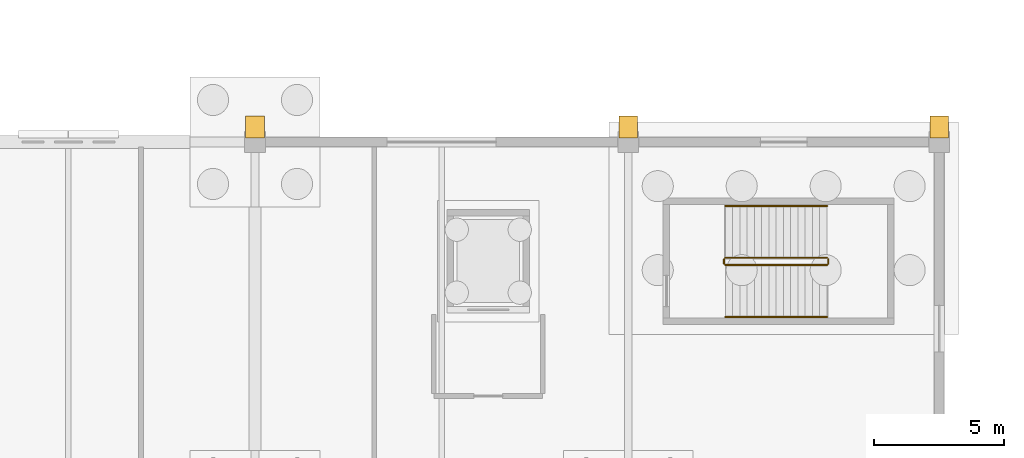
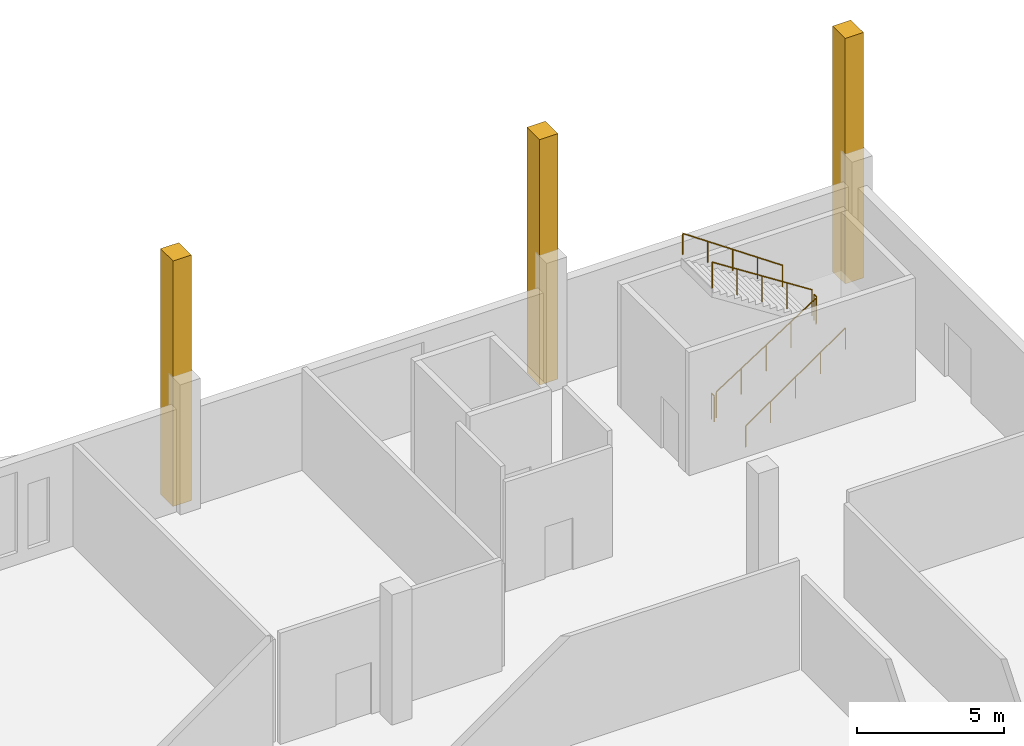
# One storey, part 191 of 192: 6 railings, 3 coverings.
"""IFC4 building model written with IfcOpenShell, lengths in metres."""

from ifc_helpers import new_model, si_unit, direction, frame, origin, origin_2d, place, context, subcontext, project, spatial, polyline, circle, outline, extrude, material, layer, layer_set, type_object, element, save


model = new_model("IFC4")

# Units and contexts
model_context = context("Model", 3, precision=1e-05, world=origin(), true_north=direction((0.0, 1.0)))
body_context = subcontext(model_context, "Body", "Model", "MODEL_VIEW")
ifc_project = project(units=[si_unit("LENGTHUNIT", "METRE"), si_unit("AREAUNIT", "SQUARE_METRE"), si_unit("VOLUMEUNIT", "CUBIC_METRE"), si_unit("PLANEANGLEUNIT", "RADIAN"), si_unit("MASSUNIT", "GRAM", prefix="KILO")], contexts=[model_context])

# Site, building, storey
site_placement = place(None, origin())
site = spatial("IfcSite", under=ifc_project, at=site_placement, CompositionType="ELEMENT")
building_placement = place(site_placement, origin())
building = spatial("IfcBuilding", under=site, at=building_placement, Name="Cendralis Lancet Convention Centre", CompositionType="ELEMENT")
storey_placement = place(building_placement, origin())
storey = spatial("IfcBuildingStorey", under=building, at=storey_placement, Name="L00", CompositionType="ELEMENT", Elevation=0.0)

# Coverings
ifc_material_1 = material(Name="Warm buff sandstone chevron cassette", Category="masonry")
ifc_layer = layer(ifc_material_1, 0.06005859375, Name="Warm buff sandstone chevron cassette")
ifc_layer_set = layer_set([ifc_layer], Name="Warm buff sandstone chevron cassette")
covering_type = type_object("IfcCoveringType", Name="ARC-CV-CLAD1", PredefinedType="CLADDING", material=ifc_layer_set)
covering_1_placement = place(storey_placement, origin())
element("IfcCovering", 1, at=covering_1_placement, inside=storey, type_object=covering_type, Name="Gothic Stepped Stone Buttress Base #0060", PredefinedType="CLADDING", context=body_context, shape_type="SweptSolid", body=[
    extrude(outline(polyline([(182.760009765625, 137.800048828125), (182.0400390625, 137.800048828125), (182.0400390625, 136.949951171875), (182.760009765625, 136.949951171875), (182.760009765625, 137.800048828125)])), origin(), (0.0, 0.0, 1.0), 10.199951171875),
])
covering_2_placement = place(storey_placement, origin())
element("IfcCovering", 2, at=covering_2_placement, inside=storey, type_object=covering_type, Name="Gothic Stepped Stone Buttress Base #0062", PredefinedType="CLADDING", context=body_context, shape_type="SweptSolid", body=[
    extrude(outline(polyline([(197.159912109375, 137.800048828125), (196.43994140625, 137.800048828125), (196.43994140625, 136.949951171875), (197.159912109375, 136.949951171875), (197.159912109375, 137.800048828125)])), origin(), (0.0, 0.0, 1.0), 10.199951171875),
])
covering_3_placement = place(storey_placement, origin())
element("IfcCovering", 3, at=covering_3_placement, inside=storey, type_object=covering_type, Name="Gothic Stepped Stone Buttress Base #0064", PredefinedType="CLADDING", context=body_context, shape_type="SweptSolid", body=[
    extrude(outline(polyline([(209.159912109375, 137.800048828125), (208.43994140625, 137.800048828125), (208.43994140625, 136.949951171875), (209.159912109375, 136.949951171875), (209.159912109375, 137.800048828125)])), origin(), (0.0, 0.0, 1.0), 10.199951171875),
])

# Railings
ifc_material_2 = material(Name="Steel S355", Category="steel")
railing_type_1 = type_object("IfcRailingType", Name="ARC-RL-CGD", PredefinedType="GUARDRAIL", material=ifc_material_2)
railing_1_placement = place(storey_placement, frame((200.550048828125, 132.050048828125, 0.179931640625)))
element("IfcRailing", 4, at=railing_1_placement, inside=storey, type_object=railing_type_1, Name="L00 ST-06 stair guard 1", PredefinedType="GUARDRAIL", context=body_context, shape_type="SweptSolid", body=[
    extrude(circle(Radius=0.02392578125, at=origin_2d()), frame((0.0, 0.0, 1.076171875), z_axis=(0.841171666519, 0.0, 0.540768182723), x_axis=(0.0, 1.0, 0.0)), (0.0, 0.0, 1.0), 4.66015625),
    extrude(circle(Radius=0.02099609375, at=origin_2d()), origin(), (0.0, 0.0, 1.0), 1.052001953125),
    extrude(circle(Radius=0.02099609375, at=origin_2d()), frame((0.97998046875, 0.0, 0.6298828125)), (0.0, 0.0, 1.0), 1.052001953125),
    extrude(circle(Radius=0.02099609375, at=origin_2d()), frame((1.9599609375, 0.0, 1.260009765625)), (0.0, 0.0, 1.0), 1.052001953125),
    extrude(circle(Radius=0.02099609375, at=origin_2d()), frame((2.93994140625, 0.0, 1.89013671875)), (0.0, 0.0, 1.0), 1.052001953125),
    extrude(circle(Radius=0.02099609375, at=origin_2d()), frame((3.919921875, 0.0, 2.52001953125)), (0.0, 0.0, 1.0), 1.052001953125),
])
railing_2_placement = place(storey_placement, frame((204.52001953125, 132.10009765625, 2.699951171875)))
element("IfcRailing", 5, at=railing_2_placement, inside=storey, type_object=railing_type_1, Name="L00 ST-06 stair guard 2", PredefinedType="GUARDRAIL", context=body_context, shape_type="SweptSolid", body=[
    extrude(circle(Radius=0.02392578125, at=origin_2d()), frame((0.0, 0.0, 1.076171875), z_axis=(0.0, 1.0, 0.0), x_axis=(-1.0, 0.0, 0.0)), (0.0, 0.0, 1.0), 0.179931640625),
    extrude(circle(Radius=0.02099609375, at=origin_2d()), origin(), (0.0, 0.0, 1.0), 1.052001953125),
    extrude(circle(Radius=0.02099609375, at=origin_2d()), frame((0.0, 0.179931640625, 0.0)), (0.0, 0.0, 1.0), 1.052001953125),
])
railing_3_placement = place(storey_placement, frame((204.469970703125, 132.330078125, 2.8798828125)))
element("IfcRailing", 6, at=railing_3_placement, inside=storey, type_object=railing_type_1, Name="L00 ST-06 stair guard 3", PredefinedType="GUARDRAIL", context=body_context, shape_type="SweptSolid", body=[
    extrude(circle(Radius=0.02392578125, at=origin_2d()), frame((0.0, 0.0, 1.076171875), z_axis=(-0.841171666519, 0.0, 0.540768182723), x_axis=(0.0, -1.0, 0.0)), (0.0, 0.0, 1.0), 4.66015625),
    extrude(circle(Radius=0.02099609375, at=origin_2d()), origin(), (0.0, 0.0, 1.0), 1.052001953125),
    extrude(circle(Radius=0.02099609375, at=origin_2d()), frame((-0.97998046875, 0.0, 0.6298828125)), (0.0, 0.0, 1.0), 1.052001953125),
    extrude(circle(Radius=0.02099609375, at=origin_2d()), frame((-1.9599609375, 0.0, 1.260009765625)), (0.0, 0.0, 1.0), 1.052001953125),
    extrude(circle(Radius=0.02099609375, at=origin_2d()), frame((-2.93994140625, 0.0, 1.89013671875)), (0.0, 0.0, 1.0), 1.052001953125),
    extrude(circle(Radius=0.02099609375, at=origin_2d()), frame((-3.919921875, 0.0, 2.52001953125)), (0.0, 0.0, 1.0), 1.052001953125),
])
railing_4_placement = place(storey_placement, frame((200.5, 132.10009765625, 0.0)))
element("IfcRailing", 7, at=railing_4_placement, inside=storey, type_object=railing_type_1, Name="L00 ST-06 stair guard 4", PredefinedType="GUARDRAIL", context=body_context, shape_type="SweptSolid", body=[
    extrude(circle(Radius=0.02392578125, at=origin_2d()), frame((0.0, 0.0, 1.076171875), z_axis=(0.0, 1.0, 0.0), x_axis=(-1.0, 0.0, 0.0)), (0.0, 0.0, 1.0), 0.179931640625),
    extrude(circle(Radius=0.02099609375, at=origin_2d()), origin(), (0.0, 0.0, 1.0), 1.052001953125),
    extrude(circle(Radius=0.02099609375, at=origin_2d()), frame((0.0, 0.179931640625, 0.0)), (0.0, 0.0, 1.0), 1.052001953125),
])
railing_type_2 = type_object("IfcRailingType", Name="ARC-RL-CHR", PredefinedType="HANDRAIL", material=ifc_material_2)
railing_5_placement = place(storey_placement, frame((200.550048828125, 130.050048828125, 0.179931640625)))
element("IfcRailing", 8, at=railing_5_placement, inside=storey, type_object=railing_type_2, Name="L00 ST-06 stair handrail 1", PredefinedType="HANDRAIL", context=body_context, shape_type="SweptSolid", body=[
    extrude(circle(Radius=0.02392578125, at=origin_2d()), frame((0.0, 0.0, 0.8759765625), z_axis=(0.823550731654, 0.0, 0.567242622158), x_axis=(0.0, 1.0, 0.0)), (0.0, 0.0, 1.0), 4.759765625),
    extrude(circle(Radius=0.02099609375, at=origin_2d()), origin(), (0.0, 0.0, 1.0), 0.851806640625),
    extrude(circle(Radius=0.02099609375, at=origin_2d()), frame((0.97998046875, 0.0, 0.675048828125)), (0.0, 0.0, 1.0), 0.851806640625),
    extrude(circle(Radius=0.02099609375, at=origin_2d()), frame((1.9599609375, 0.0, 1.35009765625)), (0.0, 0.0, 1.0), 0.851806640625),
    extrude(circle(Radius=0.02099609375, at=origin_2d()), frame((2.93994140625, 0.0, 2.02490234375)), (0.0, 0.0, 1.0), 0.851806640625),
    extrude(circle(Radius=0.02099609375, at=origin_2d()), frame((3.919921875, 0.0, 2.699951171875)), (0.0, 0.0, 1.0), 0.851806640625),
])
railing_6_placement = place(storey_placement, frame((204.469970703125, 134.330078125, 2.8798828125)))
element("IfcRailing", 9, at=railing_6_placement, inside=storey, type_object=railing_type_2, Name="L00 ST-06 stair handrail 2", PredefinedType="HANDRAIL", context=body_context, shape_type="SweptSolid", body=[
    extrude(circle(Radius=0.02392578125, at=origin_2d()), frame((0.0, 0.0, 0.8759765625), z_axis=(-0.823526770215, 0.0, 0.56727740898), x_axis=(0.0, -1.0, 0.0)), (0.0, 0.0, 1.0), 4.760009765625),
    extrude(circle(Radius=0.02099609375, at=origin_2d()), origin(), (0.0, 0.0, 1.0), 0.851806640625),
    extrude(circle(Radius=0.02099609375, at=origin_2d()), frame((-0.97998046875, 0.0, 0.675048828125)), (0.0, 0.0, 1.0), 0.851806640625),
    extrude(circle(Radius=0.02099609375, at=origin_2d()), frame((-1.9599609375, 0.0, 1.35009765625)), (0.0, 0.0, 1.0), 0.851806640625),
    extrude(circle(Radius=0.02099609375, at=origin_2d()), frame((-2.93994140625, 0.0, 2.025146484375)), (0.0, 0.0, 1.0), 0.851806640625),
    extrude(circle(Radius=0.02099609375, at=origin_2d()), frame((-3.919921875, 0.0, 2.7001953125)), (0.0, 0.0, 1.0), 0.851806640625),
])

save(model, "model.ifc")
